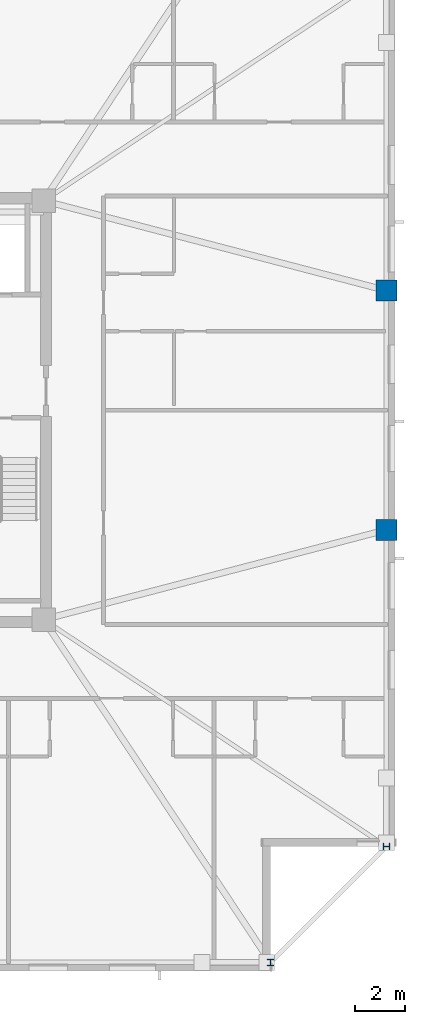
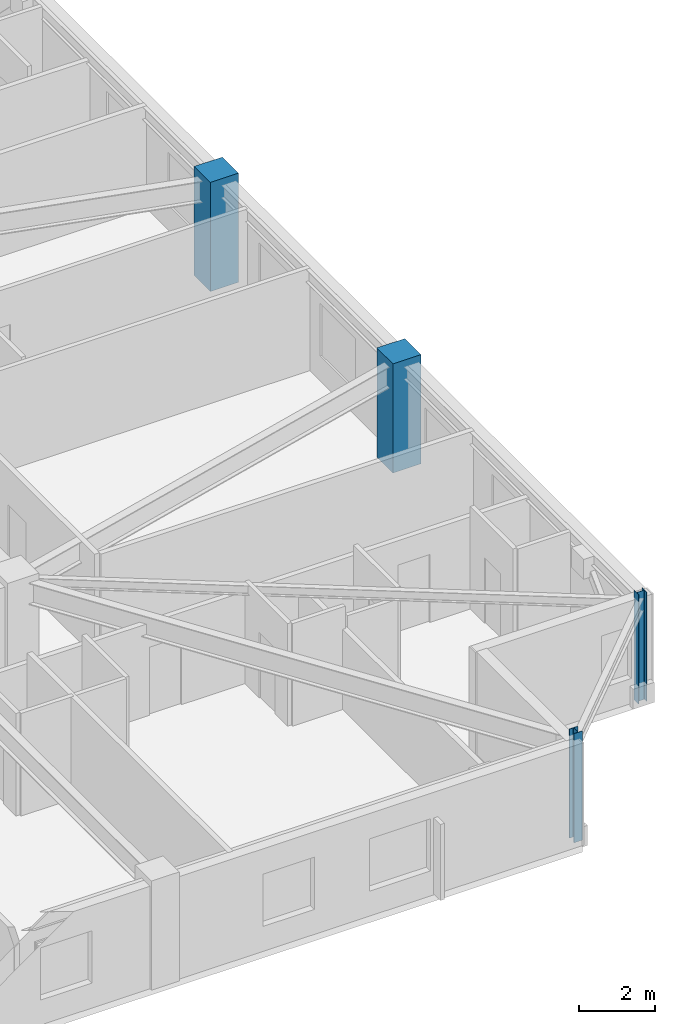
# One storey, part 3 of 17: 4 columns.
"""IFC4 building model written with IfcOpenShell, lengths in metres."""

import ifcopenshell
import ifcopenshell.guid

model = None  # the IFC model being written
_history = None  # IfcOwnerHistory: only IFC2X3 demands one
_inside = {}  # id of a spatial element -> (the spatial element, [elements in it])
_under = {}  # id of a project, library or spatial element -> (it, [spatial elements below it])
_declared = {}  # id of a project -> (the project, [libraries it declares])
_typed = {}  # id of a type object -> (the type object, [elements of that type])
_made_of = {}  # id of a material, layer set ... -> (it, [elements and type objects made of it])


def new_model(schema):
    """Start an empty IFC model of exactly this schema.

    Asked for "IFC4X3", IfcOpenShell would pick the latest addendum, in which some entities
    have other attributes; the version numbers below select the first issue.
    IFC2X3 requires an IfcOwnerHistory on every rooted entity: one is made here for all.
    """
    global model, _history
    if schema == "IFC4X3":
        model = ifcopenshell.file(schema_version=(4, 3, 0, 0))
    else:
        model = ifcopenshell.file(schema=schema)
    _inside.clear()
    _under.clear()
    _declared.clear()
    _typed.clear()
    _made_of.clear()
    _history = None
    if model.schema == "IFC2X3":
        org = make("IfcOrganization", Name="unknown")
        user = make(
            "IfcPersonAndOrganization",
            ThePerson=make("IfcPerson", FamilyName="unknown"),
            TheOrganization=org,
        )
        app = make(
            "IfcApplication",
            ApplicationDeveloper=org,
            Version="unknown",
            ApplicationFullName="unknown",
            ApplicationIdentifier="unknown",
        )
        _history = make(
            "IfcOwnerHistory",
            OwningUser=user,
            OwningApplication=app,
            ChangeAction="ADDED",
            CreationDate=0,
        )
    return model


def make(cls, **values):
    """One entity of the class cls with the attributes given. An attribute that is None is left unset."""
    return model.create_entity(
        cls, **{name: value for name, value in values.items() if value is not None}
    )


def rooted(cls, **values):
    """An entity with a GlobalId (a new one), such as an element, a storey or a relation."""
    return make(cls, GlobalId=ifcopenshell.guid.new(), OwnerHistory=_history, **values)


def si_unit(unit_type, name, prefix=None):
    """IfcSIUnit, for example si_unit("LENGTHUNIT", "METRE", prefix="MILLI")."""
    return make("IfcSIUnit", UnitType=unit_type, Prefix=prefix, Name=name)


def assignment(units):
    """IfcUnitAssignment: the units of a project."""
    return None if units is None else make("IfcUnitAssignment", Units=units)


def point(xyz):
    """IfcCartesianPoint."""
    return None if xyz is None else make("IfcCartesianPoint", Coordinates=xyz)


def direction(xyz):
    """IfcDirection."""
    return None if xyz is None else make("IfcDirection", DirectionRatios=xyz)


def frame(location, z_axis=None, x_axis=None):
    """IfcAxis2Placement3D, a coordinate frame: its origin and axes. An axis left out is left unset."""
    return make(
        "IfcAxis2Placement3D",
        Location=point(location),
        Axis=direction(z_axis),
        RefDirection=direction(x_axis),
    )


def frame_2d(location, x_axis=None):
    """IfcAxis2Placement2D, a coordinate frame in the plane: its origin and x axis."""
    return make(
        "IfcAxis2Placement2D", Location=point(location), RefDirection=direction(x_axis)
    )


def origin():
    """The frame at (0, 0, 0) with its axes left unset."""
    return frame((0.0, 0.0, 0.0))


def origin_2d():
    """The frame at (0, 0) in the plane with its x axis left unset."""
    return frame_2d((0.0, 0.0))


def place(relative_to, where):
    """IfcLocalPlacement: puts the frame where relative to a parent placement (None: the world)."""
    return make(
        "IfcLocalPlacement", PlacementRelTo=relative_to, RelativePlacement=where
    )


def context(
    kind, dimensions, precision=None, world=None, true_north=None, identifier=None
):
    """IfcGeometricRepresentationContext, for example the 3D "Model" context."""
    return make(
        "IfcGeometricRepresentationContext",
        ContextIdentifier=identifier,
        ContextType=kind,
        CoordinateSpaceDimension=dimensions,
        Precision=precision,
        WorldCoordinateSystem=world,
        TrueNorth=true_north,
    )


def subcontext(parent, identifier, kind, view, scale=None):
    """IfcGeometricRepresentationSubContext, for example "Body" below "Model"."""
    return make(
        "IfcGeometricRepresentationSubContext",
        ContextIdentifier=identifier,
        ContextType=kind,
        ParentContext=parent,
        TargetScale=scale,
        TargetView=view,
    )


def project(units=None, contexts=None):
    """IfcProject with its units and contexts."""
    return rooted(
        "IfcProject",
        Name="project",
        RepresentationContexts=contexts,
        UnitsInContext=assignment(units),
    )


def spatial(cls, under=None, at=None, **own):
    """A site, building, storey or space (cls), placed at a placement, below another one or the project."""
    s = rooted(cls, ObjectPlacement=at, **own)
    if under is not None:
        _under.setdefault(under.id(), (under, []))[1].append(s)
    return s


def profile(cls, at=None, kind="AREA", **sizes):
    """A parametric profile (cls). Its sizes go by their IFC names, for example OverallWidth=200.0."""
    return make(cls, ProfileType=kind, Position=at, **sizes)


def rectangle(**sizes):
    """IfcRectangleProfileDef."""
    return profile("IfcRectangleProfileDef", **sizes)


def i_section(**sizes):
    """IfcIShapeProfileDef."""
    return profile("IfcIShapeProfileDef", **sizes)


def extrude(swept, where, along, depth):
    """IfcExtrudedAreaSolid: the profile swept, set in the frame where, extruded along a direction by depth."""
    return make(
        "IfcExtrudedAreaSolid",
        SweptArea=swept,
        Position=where,
        ExtrudedDirection=direction(along),
        Depth=depth,
    )


def shape(context_of_items, identifier, shape_type, items):
    """IfcShapeRepresentation: the items that make up one representation, for example the "Body"."""
    return make(
        "IfcShapeRepresentation",
        ContextOfItems=context_of_items,
        RepresentationIdentifier=identifier,
        RepresentationType=shape_type,
        Items=items,
    )


def material(Name=None, Category=None):
    """IfcMaterial."""
    return make("IfcMaterial", Name=Name, Category=Category)


def material_profile(
    of_material, cross_section, Name=None, Category=None, Priority=None
):
    """IfcMaterialProfile: a cross section and its material."""
    return make(
        "IfcMaterialProfile",
        Name=Name,
        Material=of_material,
        Profile=cross_section,
        Priority=Priority,
        Category=Category,
    )


def profile_set(profiles, Name=None, composite=None):
    """IfcMaterialProfileSet."""
    return make(
        "IfcMaterialProfileSet",
        Name=Name,
        MaterialProfiles=profiles,
        CompositeProfile=composite,
    )


def made_of(thing, what):
    """Note that an element or type object is made of a material, layer set ...; save() writes the relation."""
    if what is not None:
        _made_of.setdefault(what.id(), (what, []))[1].append(thing)
    return thing


def type_object(cls, material=None, **own):
    """A type object (cls), such as IfcWallType, which elements share."""
    return made_of(rooted(cls, **own), material)


def element(
    cls,
    number,
    at=None,
    inside=None,
    cuts=None,
    type_object=None,
    material=None,
    context=None,
    identifier="Body",
    shape_type=None,
    held_by="IfcProductDefinitionShape",
    body=None,
    shapes=None,
    **own,
):
    """One element of the class cls, such as IfcWall. Its Tag is "e" and its number.

    at: its placement. inside: the storey or other place that contains it. cuts: it is an
    opening in that element (IfcRelVoidsElement). A single representation is given by context,
    identifier, shape_type and body (its items); several are given by shapes. held_by: the class
    of the entity that holds the representations. save() writes the other relations.
    """
    e = rooted(cls, Tag="e%d" % number, ObjectPlacement=at, **own)
    if body is not None:
        shapes = [shape(context, identifier, shape_type, body)]
    if shapes is not None:
        e.Representation = make(held_by, Representations=shapes)
    if inside is not None:
        _inside.setdefault(inside.id(), (inside, []))[1].append(e)
    if cuts is not None:
        rooted(
            "IfcRelVoidsElement", RelatingBuildingElement=cuts, RelatedOpeningElement=e
        )
    if type_object is not None:
        _typed.setdefault(type_object.id(), (type_object, []))[1].append(e)
    return made_of(e, material)


def aggregate(whole, parts):
    """IfcRelAggregates: a whole, such as a stair, and the parts it consists of."""
    return rooted("IfcRelAggregates", RelatingObject=whole, RelatedObjects=parts)


def save(model, path):
    """Write the relations noted so far, then the file.

    IfcRelAggregates (storeys below a building ...), IfcRelContainedInSpatialStructure (elements
    in a storey), IfcRelDefinesByType, IfcRelAssociatesMaterial and IfcRelDeclares: one each for
    every whole, place, type object, material and project.
    """
    for whole, parts in _under.values():
        aggregate(whole, parts)
    for where, things in _inside.values():
        rooted(
            "IfcRelContainedInSpatialStructure",
            RelatedElements=things,
            RelatingStructure=where,
        )
    for kind, things in _typed.values():
        rooted("IfcRelDefinesByType", RelatedObjects=things, RelatingType=kind)
    for what, things in _made_of.values():
        rooted("IfcRelAssociatesMaterial", RelatedObjects=things, RelatingMaterial=what)
    for by, libraries in _declared.values():
        rooted("IfcRelDeclares", RelatingContext=by, RelatedDefinitions=libraries)
    model.write(path)


model = new_model("IFC4")

# Units and contexts
model_context = context("Model", 3, precision=1e-05, world=origin(), true_north=direction((0.0, 1.0)))
body_context = subcontext(model_context, "Body", "Model", "MODEL_VIEW")
ifc_project = project(units=[si_unit("LENGTHUNIT", "METRE"), si_unit("AREAUNIT", "SQUARE_METRE"), si_unit("VOLUMEUNIT", "CUBIC_METRE"), si_unit("PLANEANGLEUNIT", "RADIAN"), si_unit("MASSUNIT", "GRAM", prefix="KILO")], contexts=[model_context])

# Site, building, storey
site_placement = place(None, origin())
site = spatial("IfcSite", under=ifc_project, at=site_placement, CompositionType="ELEMENT")
building_placement = place(site_placement, origin())
building = spatial("IfcBuilding", under=site, at=building_placement, Name="Cairnveth Concourse Tower", CompositionType="ELEMENT")
storey_placement = place(building_placement, frame((0.0, 0.0, 237.5)))
storey = spatial("IfcBuildingStorey", under=building, at=storey_placement, Name="L65", CompositionType="ELEMENT", Elevation=237.5)

# Columns
ifc_material_1 = material(Name="Concrete N65 (65 MPa)", Category="concrete")
ifc_material_profile_1 = material_profile(ifc_material_1, rectangle(XDim=0.85009765625, YDim=0.85009765625, at=origin_2d()), Name="RC-COL-850x850")
ifc_profile_set_1 = profile_set([ifc_material_profile_1], Name="Concrete N65 (65 MPa)")
column_type_1 = type_object("IfcColumnType", Name="PERIMETER PIER COLUMN 850X850", PredefinedType="COLUMN", material=ifc_profile_set_1)
for number, where, z_axis, x_axis, name in (
    (1, (74.14990234375, 34.199951171875, 0.0), (0.0, 0.0, 1.0), (0.0, 1.0, 0.0), "Column P-E2 L65"),
    (2, (74.14990234375, 43.800048828125, 0.0), (0.0, 0.0, 1.0), (0.0, 1.0, 0.0), "Column P-E3 L65"),
):
    element("IfcColumn", number, at=place(storey_placement, frame(where, z_axis=z_axis, x_axis=x_axis)), inside=storey, type_object=column_type_1, Name=name, PredefinedType="COLUMN", context=body_context, shape_type="SweptSolid", body=[
        extrude(rectangle(XDim=0.85009765625, YDim=0.85009765625, at=origin_2d()), origin(), (0.0, 0.0, 1.0), 3.5),
    ])
ifc_material_2 = material(Name="Steel Grade 350", Category="steel")
ifc_material_profile_2 = material_profile(ifc_material_2, i_section(OverallWidth=0.256103515625, OverallDepth=0.260009765625, WebThickness=0.010498046875, FlangeThickness=0.017333984375, FilletRadius=0.012939453125, at=origin_2d()), Name="250UC89.5")
ifc_profile_set_2 = profile_set([ifc_material_profile_2], Name="Steel Grade 350")
column_type_2 = type_object("IfcColumnType", Name="UNIVERSAL STEEL COLUMN 250UC89.5", PredefinedType="COLUMN", material=ifc_profile_set_2)
for number, where, z_axis, x_axis, name in (
    (3, (69.5, 16.85009765625, 0.0), (0.0, 0.0, 1.0), (1.0, 0.0, 0.0), "Column P-S4 L65"),
    (4, (74.14990234375, 21.5, 0.0), (0.0, 0.0, 1.0), (0.0, 1.0, 0.0), "Column P-E1 L65"),
):
    element("IfcColumn", number, at=place(storey_placement, frame(where, z_axis=z_axis, x_axis=x_axis)), inside=storey, type_object=column_type_2, Name=name, PredefinedType="COLUMN", context=body_context, shape_type="SweptSolid", body=[
        extrude(i_section(OverallWidth=0.256103515625, OverallDepth=0.260009765625, WebThickness=0.010498046875, FlangeThickness=0.017333984375, FilletRadius=0.012939453125, at=origin_2d()), origin(), (0.0, 0.0, 1.0), 3.5),
    ])

save(model, "model.ifc")
